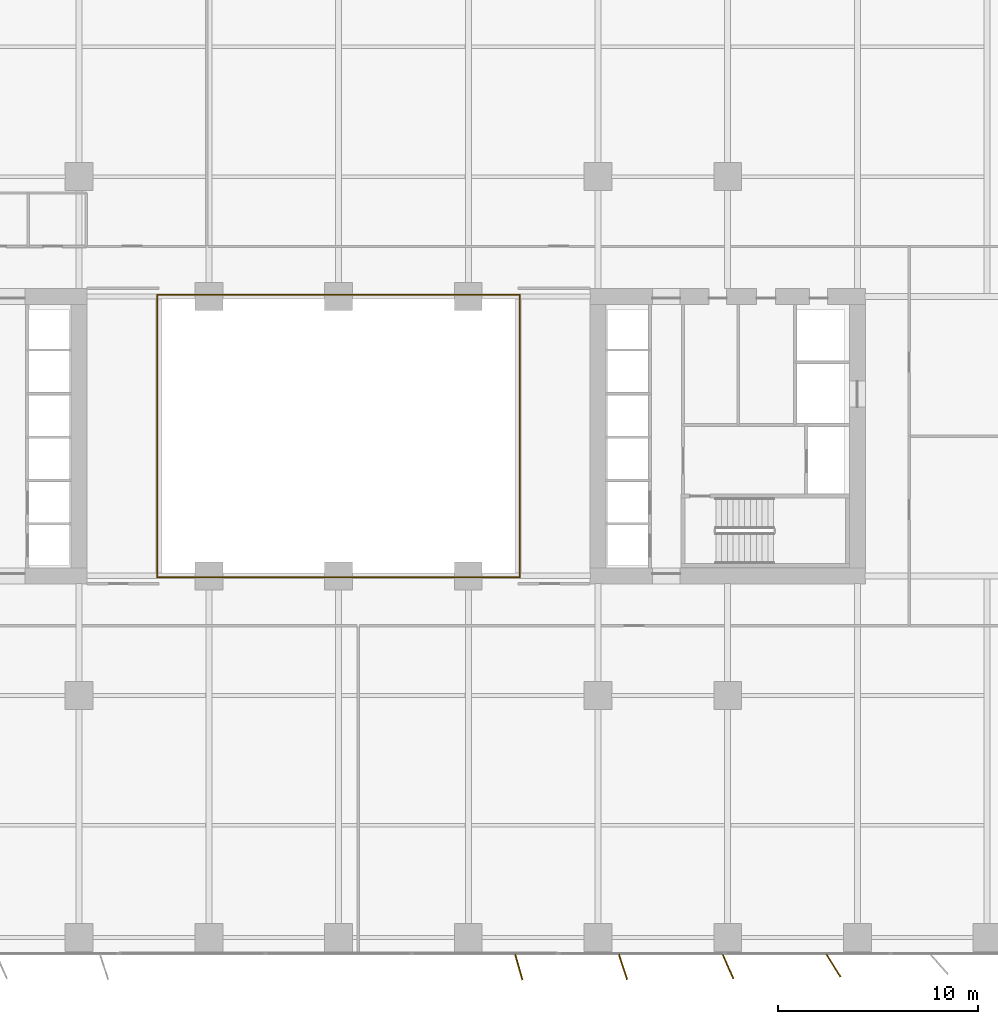
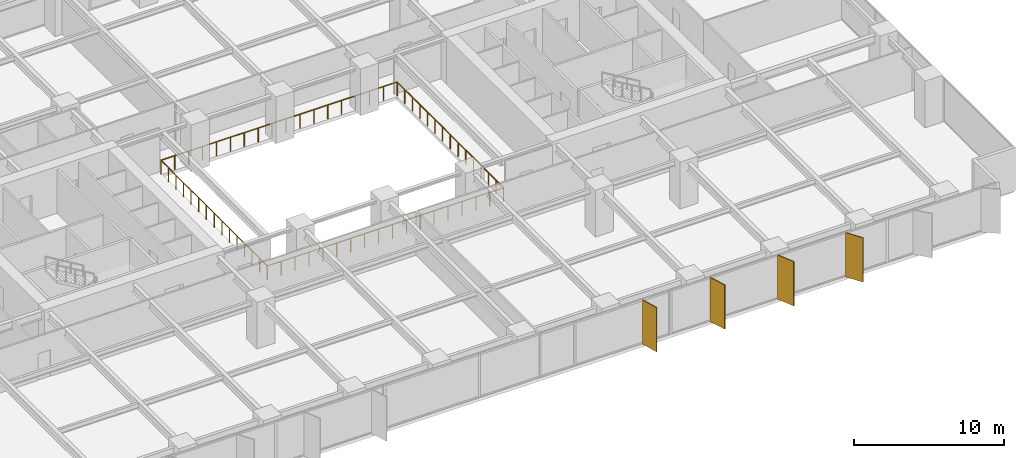
# One storey, part 18 of 20: 4 shading devices, 2 railings.
"""IFC4 building model written with IfcOpenShell, lengths in metres."""

import ifcopenshell
import ifcopenshell.guid

model = None  # the IFC model being written
_history = None  # IfcOwnerHistory: only IFC2X3 demands one
_inside = {}  # id of a spatial element -> (the spatial element, [elements in it])
_under = {}  # id of a project, library or spatial element -> (it, [spatial elements below it])
_declared = {}  # id of a project -> (the project, [libraries it declares])
_typed = {}  # id of a type object -> (the type object, [elements of that type])
_made_of = {}  # id of a material, layer set ... -> (it, [elements and type objects made of it])


def new_model(schema):
    """Start an empty IFC model of exactly this schema.

    Asked for "IFC4X3", IfcOpenShell would pick the latest addendum, in which some entities
    have other attributes; the version numbers below select the first issue.
    IFC2X3 requires an IfcOwnerHistory on every rooted entity: one is made here for all.
    """
    global model, _history
    if schema == "IFC4X3":
        model = ifcopenshell.file(schema_version=(4, 3, 0, 0))
    else:
        model = ifcopenshell.file(schema=schema)
    _inside.clear()
    _under.clear()
    _declared.clear()
    _typed.clear()
    _made_of.clear()
    _history = None
    if model.schema == "IFC2X3":
        org = make("IfcOrganization", Name="unknown")
        user = make(
            "IfcPersonAndOrganization",
            ThePerson=make("IfcPerson", FamilyName="unknown"),
            TheOrganization=org,
        )
        app = make(
            "IfcApplication",
            ApplicationDeveloper=org,
            Version="unknown",
            ApplicationFullName="unknown",
            ApplicationIdentifier="unknown",
        )
        _history = make(
            "IfcOwnerHistory",
            OwningUser=user,
            OwningApplication=app,
            ChangeAction="ADDED",
            CreationDate=0,
        )
    return model


def make(cls, **values):
    """One entity of the class cls with the attributes given. An attribute that is None is left unset."""
    return model.create_entity(
        cls, **{name: value for name, value in values.items() if value is not None}
    )


def rooted(cls, **values):
    """An entity with a GlobalId (a new one), such as an element, a storey or a relation."""
    return make(cls, GlobalId=ifcopenshell.guid.new(), OwnerHistory=_history, **values)


def si_unit(unit_type, name, prefix=None):
    """IfcSIUnit, for example si_unit("LENGTHUNIT", "METRE", prefix="MILLI")."""
    return make("IfcSIUnit", UnitType=unit_type, Prefix=prefix, Name=name)


def assignment(units):
    """IfcUnitAssignment: the units of a project."""
    return None if units is None else make("IfcUnitAssignment", Units=units)


def point(xyz):
    """IfcCartesianPoint."""
    return None if xyz is None else make("IfcCartesianPoint", Coordinates=xyz)


def direction(xyz):
    """IfcDirection."""
    return None if xyz is None else make("IfcDirection", DirectionRatios=xyz)


def frame(location, z_axis=None, x_axis=None):
    """IfcAxis2Placement3D, a coordinate frame: its origin and axes. An axis left out is left unset."""
    return make(
        "IfcAxis2Placement3D",
        Location=point(location),
        Axis=direction(z_axis),
        RefDirection=direction(x_axis),
    )


def frame_2d(location, x_axis=None):
    """IfcAxis2Placement2D, a coordinate frame in the plane: its origin and x axis."""
    return make(
        "IfcAxis2Placement2D", Location=point(location), RefDirection=direction(x_axis)
    )


def origin():
    """The frame at (0, 0, 0) with its axes left unset."""
    return frame((0.0, 0.0, 0.0))


def origin_2d():
    """The frame at (0, 0) in the plane with its x axis left unset."""
    return frame_2d((0.0, 0.0))


def place(relative_to, where):
    """IfcLocalPlacement: puts the frame where relative to a parent placement (None: the world)."""
    return make(
        "IfcLocalPlacement", PlacementRelTo=relative_to, RelativePlacement=where
    )


def context(
    kind, dimensions, precision=None, world=None, true_north=None, identifier=None
):
    """IfcGeometricRepresentationContext, for example the 3D "Model" context."""
    return make(
        "IfcGeometricRepresentationContext",
        ContextIdentifier=identifier,
        ContextType=kind,
        CoordinateSpaceDimension=dimensions,
        Precision=precision,
        WorldCoordinateSystem=world,
        TrueNorth=true_north,
    )


def subcontext(parent, identifier, kind, view, scale=None):
    """IfcGeometricRepresentationSubContext, for example "Body" below "Model"."""
    return make(
        "IfcGeometricRepresentationSubContext",
        ContextIdentifier=identifier,
        ContextType=kind,
        ParentContext=parent,
        TargetScale=scale,
        TargetView=view,
    )


def project(units=None, contexts=None):
    """IfcProject with its units and contexts."""
    return rooted(
        "IfcProject",
        Name="project",
        RepresentationContexts=contexts,
        UnitsInContext=assignment(units),
    )


def spatial(cls, under=None, at=None, **own):
    """A site, building, storey or space (cls), placed at a placement, below another one or the project."""
    s = rooted(cls, ObjectPlacement=at, **own)
    if under is not None:
        _under.setdefault(under.id(), (under, []))[1].append(s)
    return s


def profile(cls, at=None, kind="AREA", **sizes):
    """A parametric profile (cls). Its sizes go by their IFC names, for example OverallWidth=200.0."""
    return make(cls, ProfileType=kind, Position=at, **sizes)


def rectangle(**sizes):
    """IfcRectangleProfileDef."""
    return profile("IfcRectangleProfileDef", **sizes)


def circle(**sizes):
    """IfcCircleProfileDef."""
    return profile("IfcCircleProfileDef", **sizes)


def extrude(swept, where, along, depth):
    """IfcExtrudedAreaSolid: the profile swept, set in the frame where, extruded along a direction by depth."""
    return make(
        "IfcExtrudedAreaSolid",
        SweptArea=swept,
        Position=where,
        ExtrudedDirection=direction(along),
        Depth=depth,
    )


def shape(context_of_items, identifier, shape_type, items):
    """IfcShapeRepresentation: the items that make up one representation, for example the "Body"."""
    return make(
        "IfcShapeRepresentation",
        ContextOfItems=context_of_items,
        RepresentationIdentifier=identifier,
        RepresentationType=shape_type,
        Items=items,
    )


def material(Name=None, Category=None):
    """IfcMaterial."""
    return make("IfcMaterial", Name=Name, Category=Category)


def layer(
    of_material, thickness, ventilated=None, Name=None, Category=None, Priority=None
):
    """IfcMaterialLayer: one layer of a wall or slab, of a material (None: an air gap)."""
    return make(
        "IfcMaterialLayer",
        Material=of_material,
        LayerThickness=thickness,
        IsVentilated=ventilated,
        Name=Name,
        Category=Category,
        Priority=Priority,
    )


def layer_set(layers, Name=None):
    """IfcMaterialLayerSet."""
    return make("IfcMaterialLayerSet", MaterialLayers=layers, LayerSetName=Name)


def made_of(thing, what):
    """Note that an element or type object is made of a material, layer set ...; save() writes the relation."""
    if what is not None:
        _made_of.setdefault(what.id(), (what, []))[1].append(thing)
    return thing


def type_object(cls, material=None, **own):
    """A type object (cls), such as IfcWallType, which elements share."""
    return made_of(rooted(cls, **own), material)


def element(
    cls,
    number,
    at=None,
    inside=None,
    cuts=None,
    type_object=None,
    material=None,
    context=None,
    identifier="Body",
    shape_type=None,
    held_by="IfcProductDefinitionShape",
    body=None,
    shapes=None,
    **own,
):
    """One element of the class cls, such as IfcWall. Its Tag is "e" and its number.

    at: its placement. inside: the storey or other place that contains it. cuts: it is an
    opening in that element (IfcRelVoidsElement). A single representation is given by context,
    identifier, shape_type and body (its items); several are given by shapes. held_by: the class
    of the entity that holds the representations. save() writes the other relations.
    """
    e = rooted(cls, Tag="e%d" % number, ObjectPlacement=at, **own)
    if body is not None:
        shapes = [shape(context, identifier, shape_type, body)]
    if shapes is not None:
        e.Representation = make(held_by, Representations=shapes)
    if inside is not None:
        _inside.setdefault(inside.id(), (inside, []))[1].append(e)
    if cuts is not None:
        rooted(
            "IfcRelVoidsElement", RelatingBuildingElement=cuts, RelatedOpeningElement=e
        )
    if type_object is not None:
        _typed.setdefault(type_object.id(), (type_object, []))[1].append(e)
    return made_of(e, material)


def aggregate(whole, parts):
    """IfcRelAggregates: a whole, such as a stair, and the parts it consists of."""
    return rooted("IfcRelAggregates", RelatingObject=whole, RelatedObjects=parts)


def save(model, path):
    """Write the relations noted so far, then the file.

    IfcRelAggregates (storeys below a building ...), IfcRelContainedInSpatialStructure (elements
    in a storey), IfcRelDefinesByType, IfcRelAssociatesMaterial and IfcRelDeclares: one each for
    every whole, place, type object, material and project.
    """
    for whole, parts in _under.values():
        aggregate(whole, parts)
    for where, things in _inside.values():
        rooted(
            "IfcRelContainedInSpatialStructure",
            RelatedElements=things,
            RelatingStructure=where,
        )
    for kind, things in _typed.values():
        rooted("IfcRelDefinesByType", RelatedObjects=things, RelatingType=kind)
    for what, things in _made_of.values():
        rooted("IfcRelAssociatesMaterial", RelatedObjects=things, RelatingMaterial=what)
    for by, libraries in _declared.values():
        rooted("IfcRelDeclares", RelatingContext=by, RelatedDefinitions=libraries)
    model.write(path)


model = new_model("IFC4")

# Units and contexts
model_context = context("Model", 3, precision=1e-05, world=origin(), true_north=direction((0.0, 1.0)))
body_context = subcontext(model_context, "Body", "Model", "MODEL_VIEW")
ifc_project = project(units=[si_unit("LENGTHUNIT", "METRE"), si_unit("AREAUNIT", "SQUARE_METRE"), si_unit("VOLUMEUNIT", "CUBIC_METRE"), si_unit("PLANEANGLEUNIT", "RADIAN"), si_unit("MASSUNIT", "GRAM", prefix="KILO")], contexts=[model_context])

# Site, building, storey
site_placement = place(None, origin())
site = spatial("IfcSite", under=ifc_project, at=site_placement, CompositionType="ELEMENT")
building_placement = place(site_placement, origin())
building = spatial("IfcBuilding", under=site, at=building_placement, Name="Putna Gate Headquarters", CompositionType="ELEMENT")
storey_placement = place(building_placement, frame((0.0, 0.0, 31.60009765625)))
storey = spatial("IfcBuildingStorey", under=building, at=storey_placement, Name="L06", CompositionType="ELEMENT", Elevation=31.60009765625)

# Railings
ifc_material_1 = material(Name="Anodised bronze and laminated glass atrium balustrade", Category="glass")
railing_type = type_object("IfcRailingType", Name="RAIL-ATRIUM-GUARD-1150", PredefinedType="GUARDRAIL", material=ifc_material_1)
railing_1_placement = place(storey_placement, frame((29.919921875, 25.969970703125, 0.0)))
element("IfcRailing", 1, at=railing_1_placement, inside=storey, type_object=railing_type, Name="L06 Central Atrium Glazed Balustrade South", PredefinedType="GUARDRAIL", context=body_context, shape_type="SweptSolid", body=[
    extrude(circle(Radius=0.02392578125, at=origin_2d()), frame((0.0, 0.0, 1.1259765625), z_axis=(0.0, -1.0, 0.0), x_axis=(1.0, 0.0, 0.0)), (0.0, 0.0, 1.0), 7.050048828125),
    extrude(circle(Radius=0.02392578125, at=origin_2d()), frame((0.0, -7.050048828125, 1.1259765625), z_axis=(1.0, 0.0, 0.0), x_axis=(0.0, 1.0, 0.0)), (0.0, 0.0, 1.0), 18.16015625),
    extrude(circle(Radius=0.02392578125, at=origin_2d()), frame((18.16015625, -7.050048828125, 1.1259765625), z_axis=(0.0, 1.0, 0.0), x_axis=(-1.0, 0.0, 0.0)), (0.0, 0.0, 1.0), 7.050048828125),
    extrude(circle(Radius=0.02099609375, at=origin_2d()), origin(), (0.0, 0.0, 1.0), 1.101806640625),
    extrude(circle(Radius=0.02099609375, at=origin_2d()), frame((0.0, -1.007080078125, 0.0)), (0.0, 0.0, 1.0), 1.101806640625),
    extrude(circle(Radius=0.02099609375, at=origin_2d()), frame((0.0, -2.014404296875, 0.0)), (0.0, 0.0, 1.0), 1.101806640625),
    extrude(circle(Radius=0.02099609375, at=origin_2d()), frame((0.0, -3.021484375, 0.0)), (0.0, 0.0, 1.0), 1.101806640625),
    extrude(circle(Radius=0.02099609375, at=origin_2d()), frame((0.0, -4.028564453125, 0.0)), (0.0, 0.0, 1.0), 1.101806640625),
    extrude(circle(Radius=0.02099609375, at=origin_2d()), frame((0.0, -5.03564453125, 0.0)), (0.0, 0.0, 1.0), 1.101806640625),
    extrude(circle(Radius=0.02099609375, at=origin_2d()), frame((0.0, -6.04296875, 0.0)), (0.0, 0.0, 1.0), 1.101806640625),
    extrude(circle(Radius=0.02099609375, at=origin_2d()), frame((0.0, -7.050048828125, 0.0)), (0.0, 0.0, 1.0), 1.101806640625),
    extrude(circle(Radius=0.02099609375, at=origin_2d()), frame((1.068359375, -7.050048828125, 0.0)), (0.0, 0.0, 1.0), 1.101806640625),
    extrude(circle(Radius=0.02099609375, at=origin_2d()), frame((2.136474609375, -7.050048828125, 0.0)), (0.0, 0.0, 1.0), 1.101806640625),
    extrude(circle(Radius=0.02099609375, at=origin_2d()), frame((3.204833984375, -7.050048828125, 0.0)), (0.0, 0.0, 1.0), 1.101806640625),
    extrude(circle(Radius=0.02099609375, at=origin_2d()), frame((4.27294921875, -7.050048828125, 0.0)), (0.0, 0.0, 1.0), 1.101806640625),
    extrude(circle(Radius=0.02099609375, at=origin_2d()), frame((5.34130859375, -7.050048828125, 0.0)), (0.0, 0.0, 1.0), 1.101806640625),
    extrude(circle(Radius=0.02099609375, at=origin_2d()), frame((6.409423828125, -7.050048828125, 0.0)), (0.0, 0.0, 1.0), 1.101806640625),
    extrude(circle(Radius=0.02099609375, at=origin_2d()), frame((7.477783203125, -7.050048828125, 0.0)), (0.0, 0.0, 1.0), 1.101806640625),
    extrude(circle(Radius=0.02099609375, at=origin_2d()), frame((8.5458984375, -7.050048828125, 0.0)), (0.0, 0.0, 1.0), 1.101806640625),
    extrude(circle(Radius=0.02099609375, at=origin_2d()), frame((9.6142578125, -7.050048828125, 0.0)), (0.0, 0.0, 1.0), 1.101806640625),
    extrude(circle(Radius=0.02099609375, at=origin_2d()), frame((10.682373046875, -7.050048828125, 0.0)), (0.0, 0.0, 1.0), 1.101806640625),
    extrude(circle(Radius=0.02099609375, at=origin_2d()), frame((11.750732421875, -7.050048828125, 0.0)), (0.0, 0.0, 1.0), 1.101806640625),
    extrude(circle(Radius=0.02099609375, at=origin_2d()), frame((12.81884765625, -7.050048828125, 0.0)), (0.0, 0.0, 1.0), 1.101806640625),
    extrude(circle(Radius=0.02099609375, at=origin_2d()), frame((13.88720703125, -7.050048828125, 0.0)), (0.0, 0.0, 1.0), 1.101806640625),
    extrude(circle(Radius=0.02099609375, at=origin_2d()), frame((14.955322265625, -7.050048828125, 0.0)), (0.0, 0.0, 1.0), 1.101806640625),
    extrude(circle(Radius=0.02099609375, at=origin_2d()), frame((16.023681640625, -7.050048828125, 0.0)), (0.0, 0.0, 1.0), 1.101806640625),
    extrude(circle(Radius=0.02099609375, at=origin_2d()), frame((17.091796875, -7.050048828125, 0.0)), (0.0, 0.0, 1.0), 1.101806640625),
    extrude(circle(Radius=0.02099609375, at=origin_2d()), frame((18.16015625, -7.050048828125, 0.0)), (0.0, 0.0, 1.0), 1.101806640625),
    extrude(circle(Radius=0.02099609375, at=origin_2d()), frame((18.16015625, -6.04296875, 0.0)), (0.0, 0.0, 1.0), 1.101806640625),
    extrude(circle(Radius=0.02099609375, at=origin_2d()), frame((18.16015625, -5.03564453125, 0.0)), (0.0, 0.0, 1.0), 1.101806640625),
    extrude(circle(Radius=0.02099609375, at=origin_2d()), frame((18.16015625, -4.028564453125, 0.0)), (0.0, 0.0, 1.0), 1.101806640625),
    extrude(circle(Radius=0.02099609375, at=origin_2d()), frame((18.16015625, -3.021484375, 0.0)), (0.0, 0.0, 1.0), 1.101806640625),
    extrude(circle(Radius=0.02099609375, at=origin_2d()), frame((18.16015625, -2.014404296875, 0.0)), (0.0, 0.0, 1.0), 1.101806640625),
    extrude(circle(Radius=0.02099609375, at=origin_2d()), frame((18.16015625, -1.007080078125, 0.0)), (0.0, 0.0, 1.0), 1.101806640625),
    extrude(circle(Radius=0.02099609375, at=origin_2d()), frame((18.16015625, 0.0, 0.0)), (0.0, 0.0, 1.0), 1.101806640625),
])
railing_2_placement = place(storey_placement, frame((48.080078125, 26.030029296875, 0.0)))
element("IfcRailing", 2, at=railing_2_placement, inside=storey, type_object=railing_type, Name="L06 Central Atrium Glazed Balustrade North", PredefinedType="GUARDRAIL", context=body_context, shape_type="SweptSolid", body=[
    extrude(circle(Radius=0.02392578125, at=origin_2d()), frame((0.0, 0.0, 1.1259765625), z_axis=(0.0, 1.0, 0.0), x_axis=(-1.0, 0.0, 0.0)), (0.0, 0.0, 1.0), 7.050048828125),
    extrude(circle(Radius=0.02392578125, at=origin_2d()), frame((0.0, 7.050048828125, 1.1259765625), z_axis=(-1.0, 0.0, 0.0), x_axis=(0.0, -1.0, 0.0)), (0.0, 0.0, 1.0), 18.16015625),
    extrude(circle(Radius=0.02392578125, at=origin_2d()), frame((-18.16015625, 7.050048828125, 1.1259765625), z_axis=(0.0, -1.0, 0.0), x_axis=(1.0, 0.0, 0.0)), (0.0, 0.0, 1.0), 7.050048828125),
    extrude(circle(Radius=0.02099609375, at=origin_2d()), origin(), (0.0, 0.0, 1.0), 1.101806640625),
    extrude(circle(Radius=0.02099609375, at=origin_2d()), frame((0.0, 1.007080078125, 0.0)), (0.0, 0.0, 1.0), 1.101806640625),
    extrude(circle(Radius=0.02099609375, at=origin_2d()), frame((0.0, 2.014404296875, 0.0)), (0.0, 0.0, 1.0), 1.101806640625),
    extrude(circle(Radius=0.02099609375, at=origin_2d()), frame((0.0, 3.021484375, 0.0)), (0.0, 0.0, 1.0), 1.101806640625),
    extrude(circle(Radius=0.02099609375, at=origin_2d()), frame((0.0, 4.028564453125, 0.0)), (0.0, 0.0, 1.0), 1.101806640625),
    extrude(circle(Radius=0.02099609375, at=origin_2d()), frame((0.0, 5.03564453125, 0.0)), (0.0, 0.0, 1.0), 1.101806640625),
    extrude(circle(Radius=0.02099609375, at=origin_2d()), frame((0.0, 6.04296875, 0.0)), (0.0, 0.0, 1.0), 1.101806640625),
    extrude(circle(Radius=0.02099609375, at=origin_2d()), frame((0.0, 7.050048828125, 0.0)), (0.0, 0.0, 1.0), 1.101806640625),
    extrude(circle(Radius=0.02099609375, at=origin_2d()), frame((-1.068359375, 7.050048828125, 0.0)), (0.0, 0.0, 1.0), 1.101806640625),
    extrude(circle(Radius=0.02099609375, at=origin_2d()), frame((-2.136474609375, 7.050048828125, 0.0)), (0.0, 0.0, 1.0), 1.101806640625),
    extrude(circle(Radius=0.02099609375, at=origin_2d()), frame((-3.204833984375, 7.050048828125, 0.0)), (0.0, 0.0, 1.0), 1.101806640625),
    extrude(circle(Radius=0.02099609375, at=origin_2d()), frame((-4.27294921875, 7.050048828125, 0.0)), (0.0, 0.0, 1.0), 1.101806640625),
    extrude(circle(Radius=0.02099609375, at=origin_2d()), frame((-5.34130859375, 7.050048828125, 0.0)), (0.0, 0.0, 1.0), 1.101806640625),
    extrude(circle(Radius=0.02099609375, at=origin_2d()), frame((-6.409423828125, 7.050048828125, 0.0)), (0.0, 0.0, 1.0), 1.101806640625),
    extrude(circle(Radius=0.02099609375, at=origin_2d()), frame((-7.477783203125, 7.050048828125, 0.0)), (0.0, 0.0, 1.0), 1.101806640625),
    extrude(circle(Radius=0.02099609375, at=origin_2d()), frame((-8.5458984375, 7.050048828125, 0.0)), (0.0, 0.0, 1.0), 1.101806640625),
    extrude(circle(Radius=0.02099609375, at=origin_2d()), frame((-9.6142578125, 7.050048828125, 0.0)), (0.0, 0.0, 1.0), 1.101806640625),
    extrude(circle(Radius=0.02099609375, at=origin_2d()), frame((-10.682373046875, 7.050048828125, 0.0)), (0.0, 0.0, 1.0), 1.101806640625),
    extrude(circle(Radius=0.02099609375, at=origin_2d()), frame((-11.750732421875, 7.050048828125, 0.0)), (0.0, 0.0, 1.0), 1.101806640625),
    extrude(circle(Radius=0.02099609375, at=origin_2d()), frame((-12.81884765625, 7.050048828125, 0.0)), (0.0, 0.0, 1.0), 1.101806640625),
    extrude(circle(Radius=0.02099609375, at=origin_2d()), frame((-13.88720703125, 7.050048828125, 0.0)), (0.0, 0.0, 1.0), 1.101806640625),
    extrude(circle(Radius=0.02099609375, at=origin_2d()), frame((-14.955322265625, 7.050048828125, 0.0)), (0.0, 0.0, 1.0), 1.101806640625),
    extrude(circle(Radius=0.02099609375, at=origin_2d()), frame((-16.023681640625, 7.050048828125, 0.0)), (0.0, 0.0, 1.0), 1.101806640625),
    extrude(circle(Radius=0.02099609375, at=origin_2d()), frame((-17.091796875, 7.050048828125, 0.0)), (0.0, 0.0, 1.0), 1.101806640625),
    extrude(circle(Radius=0.02099609375, at=origin_2d()), frame((-18.16015625, 7.050048828125, 0.0)), (0.0, 0.0, 1.0), 1.101806640625),
    extrude(circle(Radius=0.02099609375, at=origin_2d()), frame((-18.16015625, 6.04296875, 0.0)), (0.0, 0.0, 1.0), 1.101806640625),
    extrude(circle(Radius=0.02099609375, at=origin_2d()), frame((-18.16015625, 5.03564453125, 0.0)), (0.0, 0.0, 1.0), 1.101806640625),
    extrude(circle(Radius=0.02099609375, at=origin_2d()), frame((-18.16015625, 4.028564453125, 0.0)), (0.0, 0.0, 1.0), 1.101806640625),
    extrude(circle(Radius=0.02099609375, at=origin_2d()), frame((-18.16015625, 3.021484375, 0.0)), (0.0, 0.0, 1.0), 1.101806640625),
    extrude(circle(Radius=0.02099609375, at=origin_2d()), frame((-18.16015625, 2.014404296875, 0.0)), (0.0, 0.0, 1.0), 1.101806640625),
    extrude(circle(Radius=0.02099609375, at=origin_2d()), frame((-18.16015625, 1.007080078125, 0.0)), (0.0, 0.0, 1.0), 1.101806640625),
    extrude(circle(Radius=0.02099609375, at=origin_2d()), frame((-18.16015625, 0.0, 0.0)), (0.0, 0.0, 1.0), 1.101806640625),
])

# Shading devices
ifc_material_2 = material(Name="Anodised architectural bronze aluminium fin", Category="aluminium")
ifc_layer = layer(ifc_material_2, 0.06494140625)
ifc_layer_set = layer_set([ifc_layer], Name="Anodised architectural bronze aluminium fin")
shading_device_type = type_object("IfcShadingDeviceType", Name="SHADE-BRONZE-FIN-1320", PredefinedType="USERDEFINED", material=ifc_layer_set)
for number, where, z_axis, x_axis, name in (
    (3, (48.031982421875, -0.609375, -0.02001953125), (0.0, 0.0, 1.0), (0.275637355817, -0.961261695938, 0.0), "L06 Bronze Vertical Shading Fin S8"),
    (4, (53.253662109375, -0.602783203125, -0.02001953125), (0.0, 0.0, 1.0), (0.308684994204, -0.951164325631, 0.0), "L06 Bronze Vertical Shading Fin S9"),
    (5, (58.514404296875, -0.57958984375, -0.02001953125), (0.0, 0.0, 1.0), (0.400668879095, -0.916222925562, 0.0), "L06 Bronze Vertical Shading Fin S10"),
    (6, (63.80029296875, -0.534423828125, -0.02001953125), (0.0, 0.0, 1.0), (0.530659123936, -0.847585331506, 0.0), "L06 Bronze Vertical Shading Fin S11"),
):
    element("IfcShadingDevice", number, at=place(storey_placement, frame(where, z_axis=z_axis, x_axis=x_axis)), inside=storey, type_object=shading_device_type, Name=name, ObjectType="FIN", PredefinedType="USERDEFINED", context=body_context, shape_type="SweptSolid", body=[
        extrude(rectangle(XDim=1.320068359375, YDim=0.06494140625, at=origin_2d()), origin(), (0.0, 0.0, 1.0), 3.590087890625),
    ])

save(model, "model.ifc")
